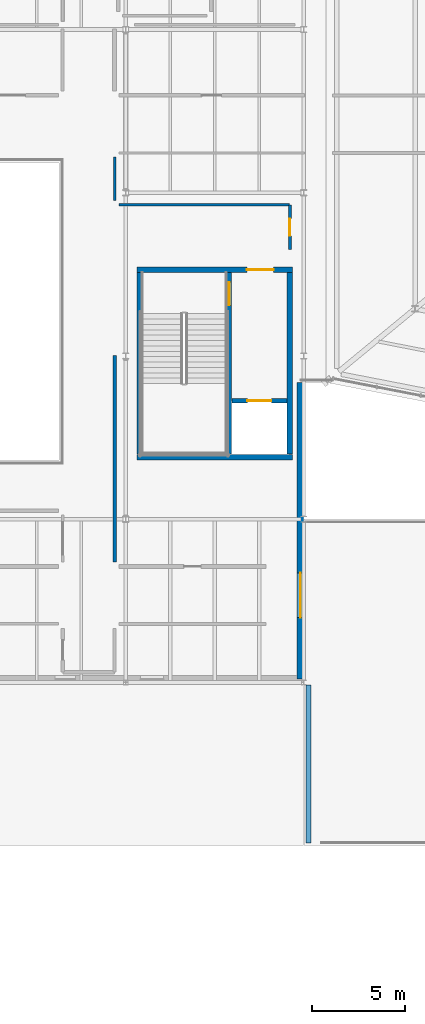
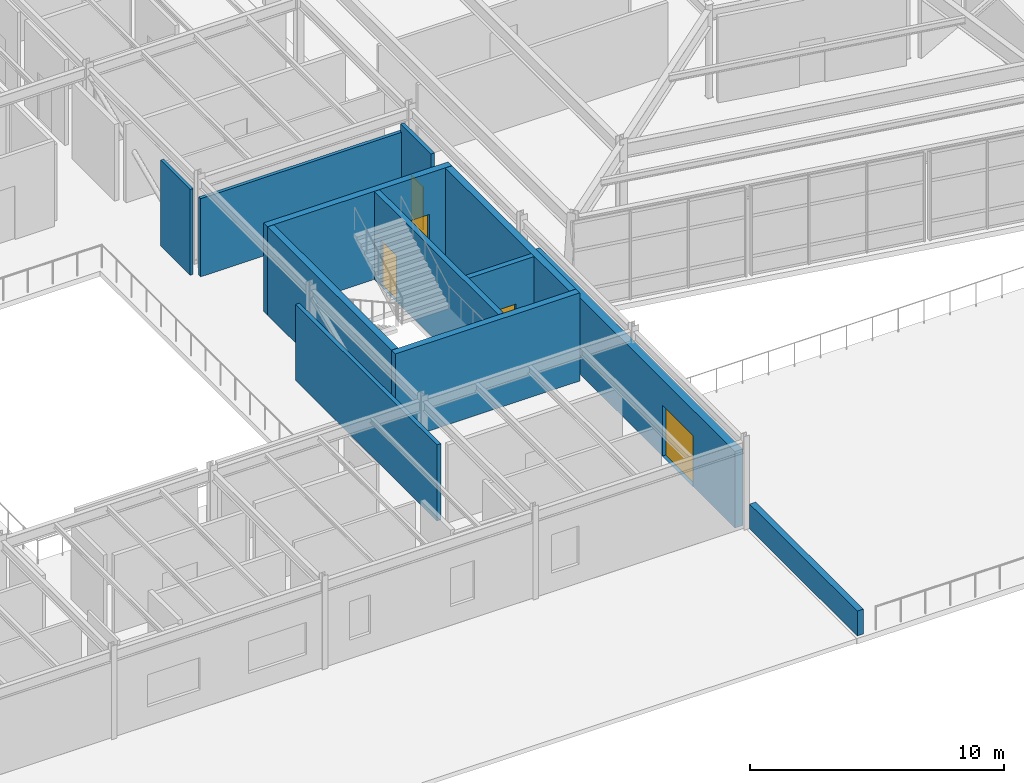
# One storey, part 52 of 69: 12 walls, 5 doors, 5 openings.
"""IFC4 building model written with IfcOpenShell, lengths in metres."""

from ifc_helpers import new_model, si_unit, direction, frame, frame_2d, origin, place, context, subcontext, project, spatial, rectangle, extrude, material, layer, layer_set, type_object, element, fill, save


model = new_model("IFC4")

# Units and contexts
model_context = context("Model", 3, precision=1e-05, world=origin(), true_north=direction((0.0, 1.0)))
body_context = subcontext(model_context, "Body", "Model", "MODEL_VIEW")
ifc_project = project(units=[si_unit("LENGTHUNIT", "METRE"), si_unit("AREAUNIT", "SQUARE_METRE"), si_unit("VOLUMEUNIT", "CUBIC_METRE"), si_unit("PLANEANGLEUNIT", "RADIAN"), si_unit("MASSUNIT", "GRAM", prefix="KILO")], contexts=[model_context])

# Site, building, storey
site_placement = place(None, origin())
site = spatial("IfcSite", under=ifc_project, at=site_placement, CompositionType="ELEMENT")
building_placement = place(site_placement, origin())
building = spatial("IfcBuilding", under=site, at=building_placement, Name="Sarnbrook Museum", CompositionType="ELEMENT")
storey_placement = place(building_placement, frame((0.0, 0.0, 14.60009765625)))
storey = spatial("IfcBuildingStorey", under=building, at=storey_placement, Name="L03", CompositionType="ELEMENT", Elevation=14.60009765625)

# Wall
ifc_material_1 = material(Name="Concrete N50 (AS 3600, f'c = 50 MPa)", Category="concrete")
ifc_layer_1 = layer(ifc_material_1, 0.300048828125)
ifc_layer_set_1 = layer_set([ifc_layer_1], Name="Concrete N50 (AS 3600, f'c = 50 MPa)")
wall_type_1 = type_object("IfcWallType", Name="CoreWall_CWRC", PredefinedType="SHEAR", material=ifc_layer_set_1)
wall_1_placement = place(storey_placement, frame((110.199951171875, 60.14990234375, 0.0), z_axis=(0.0, 0.0, 1.0), x_axis=(1.0, 0.0, 0.0)))
element("IfcWall", 1, at=wall_1_placement, inside=storey, type_object=wall_type_1, Name="Core C1 Shear Wall S L03", PredefinedType="SHEAR", context=body_context, shape_type="SweptSolid", body=[
    extrude(rectangle(XDim=8.400146484375, YDim=0.300048828125, at=frame_2d((4.2001953125, 0.0))), origin(), (0.0, 0.0, 1.0), 4.244873046875),
])

# Wall, opening, door
wall_2_placement = place(storey_placement, frame((118.60009765625, 70.25, 0.0), z_axis=(0.0, 0.0, 1.0), x_axis=(-1.0, 0.0, 0.0)))
wall_2 = element("IfcWall", 2, at=wall_2_placement, inside=storey, type_object=wall_type_1, Name="Core C1 Shear Wall N L03", PredefinedType="SHEAR", context=body_context, shape_type="SweptSolid", body=[
    extrude(rectangle(XDim=8.400146484375, YDim=0.300048828125, at=frame_2d((4.2001953125, 0.0))), origin(), (0.0, 0.0, 1.0), 4.244873046875),
])
opening_1_placement = place(wall_2_placement, frame((1.02490234375, 0.0, 0.0)))
opening_1 = element("IfcOpeningElement", 3, at=opening_1_placement, cuts=wall_2, Name="Opening D-LOB-C1-L03", PredefinedType="OPENING", context=body_context, shape_type="SweptSolid", body=[
    extrude(rectangle(XDim=1.449951171875, YDim=2.25, at=frame_2d((0.72509765625, 1.125))), frame((0.0, 0.16015625, 0.0), z_axis=(0.0, -1.0, 0.0), x_axis=(1.0, 0.0, 0.0)), (0.0, 0.0, 1.0), 0.320068359375),
])
ifc_material_2 = material(Name="Tasmanian Oak Acoustic Timber", Category="wood")
door_type_1 = type_object("IfcDoorType", Name="FireDoor_FD120W", OperationType="NOTDEFINED", PredefinedType="DOOR", material=ifc_material_2)
door_1_placement = place(opening_1_placement, origin())
door_1 = element("IfcDoor", 4, at=door_1_placement, inside=storey, type_object=door_type_1, Name="Core C1 Fire Lobby Entry Door L03", OperationType="SINGLE_SWING_LEFT", OverallHeight=2.25, OverallWidth=1.449951171875, PredefinedType="DOOR", context=body_context, shape_type="SweptSolid", body=[
    extrude(rectangle(XDim=1.449951171875, YDim=2.25, at=frame_2d((0.72509765625, 1.125))), frame((0.0, 0.02490234375, 0.0), z_axis=(0.0, -1.0, 0.0), x_axis=(1.0, 0.0, 0.0)), (0.0, 0.0, 1.0), 0.050048828125),
])
fill(opening_1, door_1)

# Walls
for number, where, z_axis, x_axis, name in (
    (5, (118.449951171875, 60.31005859375, 0.0), (0.0, 0.0, 1.0), (0.0, 1.0, 0.0), "Core C1 Shear Wall E L03"),
    (6, (110.35009765625, 70.090087890625, 0.0), (0.0, 0.0, 1.0), (0.0, -1.0, 0.0), "Core C1 Shear Wall W L03"),
):
    element("IfcWall", number, at=place(storey_placement, frame(where, z_axis=z_axis, x_axis=x_axis)), inside=storey, type_object=wall_type_1, Name=name, PredefinedType="SHEAR", context=body_context, shape_type="SweptSolid", body=[
        extrude(rectangle(XDim=9.780029296875, YDim=0.300048828125, at=frame_2d((4.89013671875, 0.0))), origin(), (0.0, 0.0, 1.0), 4.244873046875),
    ])
ifc_material_3 = material(Name="Fire-Rated Acoustic Gypsum Plasterboard")
ifc_layer_2 = layer(ifc_material_3, 0.135009765625)
ifc_layer_set_2 = layer_set([ifc_layer_2], Name="Fire-Rated Acoustic Gypsum Plasterboard")
wall_type_2 = type_object("IfcWallType", Name="PartWall_P135", PredefinedType="PARTITIONING", material=ifc_layer_set_2)
wall_3_placement = place(storey_placement, frame((109.0, 73.97998046875, 0.0), z_axis=(0.0, 0.0, 1.0), x_axis=(0.0, 1.0, 0.0)))
element("IfcWall", 7, at=wall_3_placement, inside=storey, type_object=wall_type_2, Name="Interior Partition Wall L03-0663", PredefinedType="PARTITIONING", context=body_context, shape_type="SweptSolid", body=[
    extrude(rectangle(XDim=2.340087890625, YDim=0.135009765625, at=frame_2d((1.169921875, 0.0))), origin(), (0.0, 0.0, 1.0), 4.1298828125),
])
ifc_layer_3 = layer(ifc_material_3, 0.14990234375)
ifc_layer_set_3 = layer_set([ifc_layer_3], Name="Fire-Rated Acoustic Gypsum Plasterboard")
wall_type_3 = type_object("IfcWallType", Name="PartWall_P150", PredefinedType="PARTITIONING", material=ifc_layer_set_3)
wall_4_placement = place(storey_placement, frame((118.43994140625, 73.75, 0.0), z_axis=(0.0, 0.0, 1.0), x_axis=(-1.0, 0.0, 0.0)))
element("IfcWall", 8, at=wall_4_placement, inside=storey, type_object=wall_type_3, Name="Interior Partition Wall L03-0662", PredefinedType="PARTITIONING", context=body_context, shape_type="SweptSolid", body=[
    extrude(rectangle(XDim=9.2099609375, YDim=0.14990234375, at=frame_2d((4.60498046875, 0.0))), origin(), (0.0, 0.0, 1.0), 3.762939453125),
])

# Wall, opening, door
ifc_layer_4 = layer(ifc_material_3, 0.1650390625)
ifc_layer_set_4 = layer_set([ifc_layer_4], Name="Fire-Rated Acoustic Gypsum Plasterboard")
wall_type_4 = type_object("IfcWallType", Name="PartWall_P165", PredefinedType="PARTITIONING", material=ifc_layer_set_4)
wall_5_placement = place(storey_placement, frame((118.449951171875, 71.342041015625, 0.0), z_axis=(0.0, 0.0, 1.0), x_axis=(0.0, 1.0, 0.0)))
wall_5 = element("IfcWall", 9, at=wall_5_placement, inside=storey, type_object=wall_type_4, Name="Interior Partition Wall L03-0661", PredefinedType="PARTITIONING", context=body_context, shape_type="SweptSolid", body=[
    extrude(rectangle(XDim=2.39794921875, YDim=0.1650390625, at=frame_2d((1.198974609375, 0.0))), origin(), (0.0, 0.0, 1.0), 4.1298828125),
])
opening_2_placement = place(wall_5_placement, frame((0.72900390625, 0.0, 0.0)))
opening_2 = element("IfcOpeningElement", 10, at=opening_2_placement, cuts=wall_5, Name="Opening D-L03-192", PredefinedType="OPENING", context=body_context, shape_type="SweptSolid", body=[
    extrude(rectangle(XDim=0.93994140625, YDim=2.080078125, at=frame_2d((0.469970703125, 1.0400390625))), frame((0.0, 0.092529296875, 0.0), z_axis=(0.0, -1.0, 0.0), x_axis=(1.0, 0.0, 0.0)), (0.0, 0.0, 1.0), 0.18505859375),
])
door_type_2 = type_object("IfcDoorType", Name="IntDoor_DT02", OperationType="NOTDEFINED", PredefinedType="DOOR", material=ifc_material_2)
door_2_placement = place(opening_2_placement, origin())
door_2 = element("IfcDoor", 11, at=door_2_placement, inside=storey, type_object=door_type_2, Name="Meteorites & Planetary Science Hall L03-20 Door D-L03-192", OperationType="SINGLE_SWING_LEFT", OverallHeight=2.080078125, OverallWidth=0.93994140625, PredefinedType="DOOR", context=body_context, shape_type="SweptSolid", body=[
    extrude(rectangle(XDim=0.93994140625, YDim=2.080078125, at=frame_2d((0.469970703125, 1.0400390625))), frame((0.0, 0.02490234375, 0.0), z_axis=(0.0, -1.0, 0.0), x_axis=(1.0, 0.0, 0.0)), (0.0, 0.0, 1.0), 0.050048828125),
])
fill(opening_2, door_2)

# Wall
ifc_layer_5 = layer(ifc_material_3, 0.179931640625)
ifc_layer_set_5 = layer_set([ifc_layer_5], Name="Fire-Rated Acoustic Gypsum Plasterboard")
wall_type_5 = type_object("IfcWallType", Name="PartWall_P180", PredefinedType="PARTITIONING", material=ifc_layer_set_5)
wall_6_placement = place(storey_placement, frame((109.0, 54.47998046875, 0.0), z_axis=(0.0, 0.0, 1.0), x_axis=(0.0, 1.0, 0.0)))
element("IfcWall", 12, at=wall_6_placement, inside=storey, type_object=wall_type_5, Name="Interior Partition Wall L03-0660", PredefinedType="PARTITIONING", context=body_context, shape_type="SweptSolid", body=[
    extrude(rectangle(XDim=11.14990234375, YDim=0.179931640625, at=frame_2d((5.574951171875, 0.0))), origin(), (0.0, 0.0, 1.0), 3.6669921875),
])

# Wall, opening, door
ifc_material_4 = material(Name="Concrete N40 (AS 3600, f'c = 40 MPa)", Category="concrete")
ifc_layer_6 = layer(ifc_material_4, 0.239990234375)
ifc_layer_set_6 = layer_set([ifc_layer_6], Name="Concrete N40 (AS 3600, f'c = 40 MPa)")
wall_type_6 = type_object("IfcWallType", Name="ShaftWall_SWRC", PredefinedType="SOLIDWALL", material=ifc_layer_set_6)
wall_7_placement = place(storey_placement, frame((115.18994140625, 60.31005859375, 0.0), z_axis=(0.0, 0.0, 1.0), x_axis=(0.0, 1.0, 0.0)))
wall_7 = element("IfcWall", 13, at=wall_7_placement, inside=storey, type_object=wall_type_6, Name="Stairwell ST1 Fire Shaft Wall L03", PredefinedType="SOLIDWALL", context=body_context, shape_type="SweptSolid", body=[
    extrude(rectangle(XDim=9.780029296875, YDim=0.239990234375, at=frame_2d((4.89013671875, 0.0))), origin(), (0.0, 0.0, 1.0), 4.244873046875),
])
opening_3_placement = place(wall_7_placement, frame((8.014892578125, 0.0, 0.0)))
opening_3 = element("IfcOpeningElement", 14, at=opening_3_placement, cuts=wall_7, Name="Opening D-ST-ST1-L03", PredefinedType="OPENING", context=body_context, shape_type="SweptSolid", body=[
    extrude(rectangle(XDim=1.25, YDim=2.199951171875, at=frame_2d((0.625, 1.10009765625))), frame((0.0, 0.1298828125, 0.0), z_axis=(0.0, -1.0, 0.0), x_axis=(1.0, 0.0, 0.0)), (0.0, 0.0, 1.0), 0.260009765625),
])
door_type_3 = type_object("IfcDoorType", Name="FireDoor_FD120", OperationType="NOTDEFINED", PredefinedType="DOOR", material=ifc_material_2)
door_3_placement = place(opening_3_placement, origin())
door_3 = element("IfcDoor", 15, at=door_3_placement, inside=storey, type_object=door_type_3, Name="Exit Stair ST1 Fire Door L03", OperationType="SINGLE_SWING_RIGHT", OverallHeight=2.199951171875, OverallWidth=1.25, PredefinedType="DOOR", context=body_context, shape_type="SweptSolid", body=[
    extrude(rectangle(XDim=1.25, YDim=2.199951171875, at=frame_2d((0.625, 1.10009765625))), frame((0.0, 0.02490234375, 0.0), z_axis=(0.0, -1.0, 0.0), x_axis=(1.0, 0.0, 0.0)), (0.0, 0.0, 1.0), 0.050048828125),
])
fill(opening_3, door_3)

wall_8_placement = place(storey_placement, frame((115.320068359375, 63.179931640625, 0.0), z_axis=(0.0, 0.0, 1.0), x_axis=(1.0, 0.0, 0.0)))
wall_8 = element("IfcWall", 16, at=wall_8_placement, inside=storey, type_object=wall_type_6, Name="Lift EL1 Shaft Front Wall L03", PredefinedType="SOLIDWALL", context=body_context, shape_type="SweptSolid", body=[
    extrude(rectangle(XDim=2.969970703125, YDim=0.239990234375, at=frame_2d((1.48486328125, 0.0))), origin(), (0.0, 0.0, 1.0), 4.244873046875),
])
opening_4_placement = place(wall_8_placement, frame((0.8349609375, 0.0, 0.0)))
opening_4 = element("IfcOpeningElement", 17, at=opening_4_placement, cuts=wall_8, Name="Opening LD-EL1-L03", PredefinedType="OPENING", context=body_context, shape_type="SweptSolid", body=[
    extrude(rectangle(XDim=1.300048828125, YDim=2.25, at=frame_2d((0.64990234375, 1.125))), frame((0.0, 0.1298828125, 0.0), z_axis=(0.0, -1.0, 0.0), x_axis=(1.0, 0.0, 0.0)), (0.0, 0.0, 1.0), 0.260009765625),
])
ifc_material_5 = material(Name="Brushed Stainless Steel Grade 316", Category="steel")
door_type_4 = type_object("IfcDoorType", Name="LiftDoor_FF130", OperationType="DOUBLE_DOOR_SLIDING", PredefinedType="DOOR", material=ifc_material_5)
door_4_placement = place(opening_4_placement, origin())
door_4 = element("IfcDoor", 18, at=door_4_placement, inside=storey, type_object=door_type_4, Name="Lift Landing Sliding Door LD-EL1-L03", OperationType="DOUBLE_DOOR_SLIDING", OverallHeight=2.25, OverallWidth=1.300048828125, PredefinedType="DOOR", context=body_context, shape_type="SweptSolid", body=[
    extrude(rectangle(XDim=1.300048828125, YDim=2.25, at=frame_2d((0.64990234375, 1.125))), frame((0.0, 0.02490234375, 0.0), z_axis=(0.0, -1.0, 0.0), x_axis=(1.0, 0.0, 0.0)), (0.0, 0.0, 1.0), 0.050048828125),
])
fill(opening_4, door_4)

# Wall
ifc_material_6 = material(Name="Victorian Bluestone Ashlar Masonry", Category="masonry")
ifc_layer_7 = layer(ifc_material_6, 0.280029296875)
ifc_layer_set_7 = layer_set([ifc_layer_7], Name="Victorian Bluestone Ashlar Masonry")
wall_type_7 = type_object("IfcWallType", Name="Wall_LimestoneClad280", PredefinedType="STANDARD", material=ifc_layer_set_7)
wall_9_placement = place(storey_placement, frame((119.449951171875, 39.35009765625, 0.0), z_axis=(0.0, 0.0, 1.0), x_axis=(0.0, 1.0, 0.0)))
element("IfcWall", 19, at=wall_9_placement, inside=storey, type_object=wall_type_7, Name="East Roof Garden Terrace West Parapet Wall L03", PredefinedType="STANDARD", context=body_context, shape_type="SweptSolid", body=[
    extrude(rectangle(XDim=8.5, YDim=0.280029296875, at=frame_2d((4.25, 0.0))), origin(), (0.0, 0.0, 1.0), 1.199951171875),
])

# Wall, opening, door
ifc_material_7 = material(Name="Barrabool Sandstone Ashlar Cladding", Category="masonry")
ifc_layer_8 = layer(ifc_material_7, 0.360107421875)
ifc_layer_set_8 = layer_set([ifc_layer_8], Name="Barrabool Sandstone Ashlar Cladding")
wall_type_8 = type_object("IfcWallType", Name="Wall_SandstoneExt360", PredefinedType="SOLIDWALL", material=ifc_layer_set_8)
wall_10_placement = place(storey_placement, frame((119.02001953125, 48.18603515625, 0.0), z_axis=(0.0, 0.0, 1.0), x_axis=(0.0, 1.0, 0.0)))
wall_10 = element("IfcWall", 20, at=wall_10_placement, inside=storey, type_object=wall_type_8, Name="Classical Sandstone Facade Wall L03-04", PredefinedType="SOLIDWALL", context=body_context, shape_type="SweptSolid", body=[
    extrude(rectangle(XDim=15.990234375, YDim=0.360107421875, at=frame_2d((7.9951171875, 0.0))), origin(), (0.0, 0.0, 1.0), 3.681884765625),
])
opening_5_placement = place(wall_10_placement, frame((3.31396484375, 0.0, 0.0)))
opening_5 = element("IfcOpeningElement", 21, at=opening_5_placement, cuts=wall_10, Name="Opening TD-L03-01", PredefinedType="OPENING", context=body_context, shape_type="SweptSolid", body=[
    extrude(rectangle(XDim=2.39990234375, YDim=2.449951171875, at=frame_2d((1.199951171875, 1.22509765625))), frame((0.0, 0.18994140625, 0.0), z_axis=(0.0, -1.0, 0.0), x_axis=(1.0, 0.0, 0.0)), (0.0, 0.0, 1.0), 0.380126953125),
])
ifc_material_8 = material(Name="Thermally Broken Anodised Aluminium 6063-T6", Category="aluminium")
door_type_5 = type_object("IfcDoorType", Name="DoorType_EDT2", OperationType="DOUBLE_DOOR_SINGLE_SWING", PredefinedType="DOOR", material=ifc_material_8)
door_5_placement = place(opening_5_placement, frame((2.39990234375, 0.0, 0.0), z_axis=(0.0, 0.0, 1.0), x_axis=(-1.0, 0.0, 0.0)))
door_5 = element("IfcDoor", 22, at=door_5_placement, inside=storey, type_object=door_type_5, Name="East Roof Garden Terrace Door L03", OperationType="DOUBLE_DOOR_SINGLE_SWING", OverallHeight=2.449951171875, OverallWidth=2.39990234375, PredefinedType="DOOR", context=body_context, shape_type="SweptSolid", body=[
    extrude(rectangle(XDim=2.39990234375, YDim=2.449951171875, at=frame_2d((1.199951171875, 1.22509765625))), frame((0.0, 0.02490234375, 0.0), z_axis=(0.0, -1.0, 0.0), x_axis=(1.0, 0.0, 0.0)), (0.0, 0.0, 1.0), 0.050048828125),
])
fill(opening_5, door_5)

save(model, "model.ifc")
